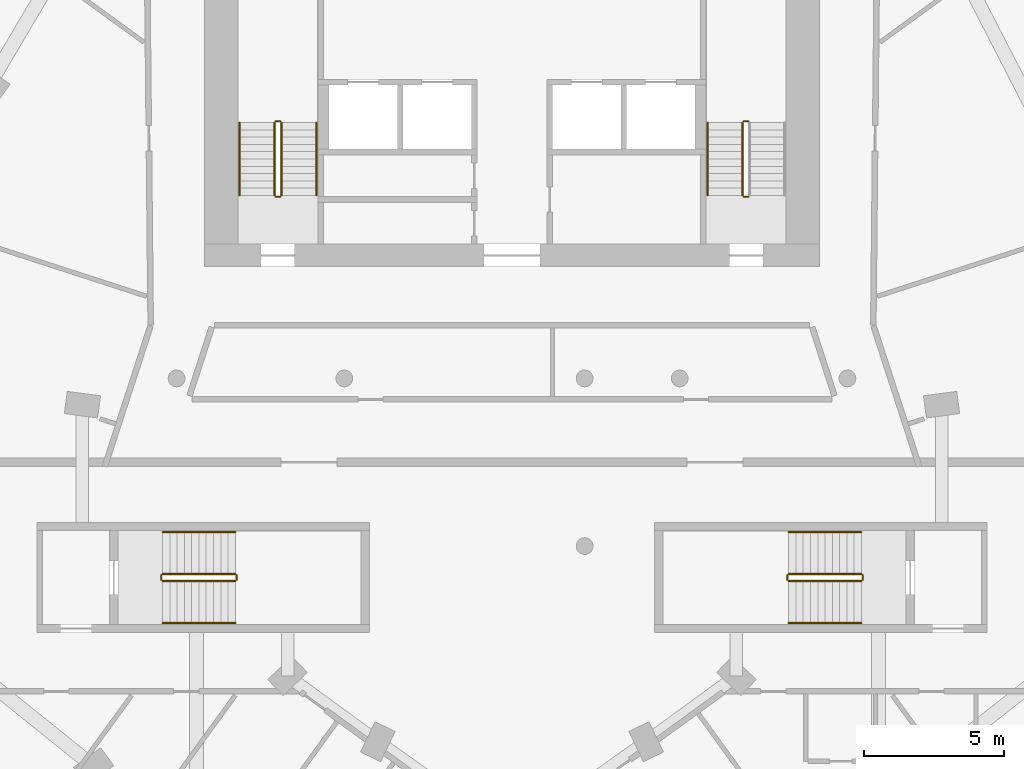
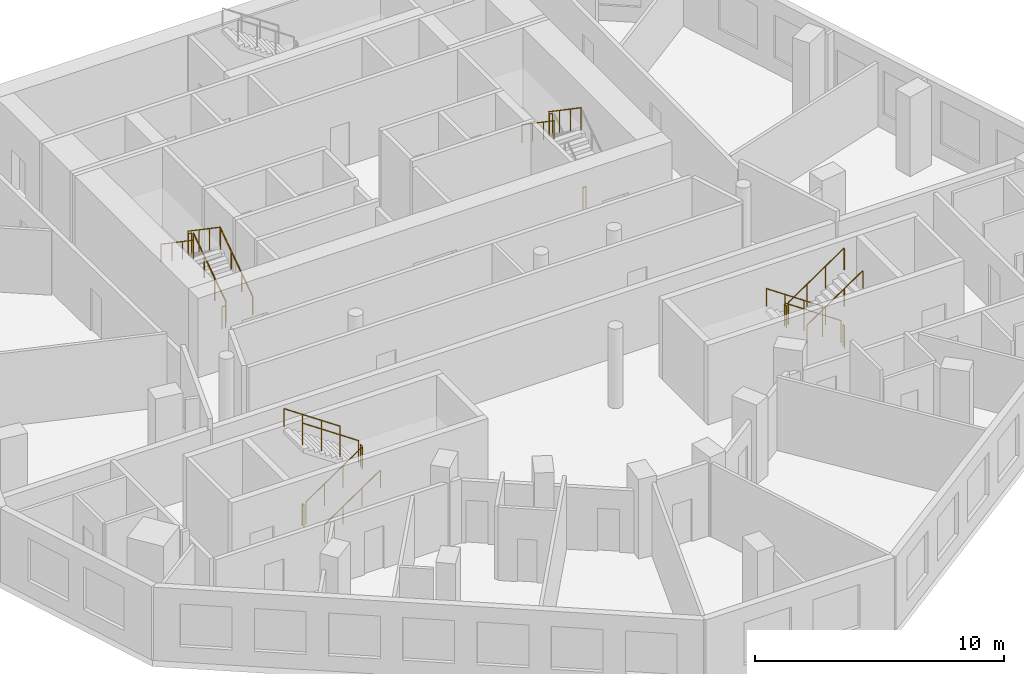
# One storey, part 8 of 9: 22 railings.
"""IFC4 building model written with IfcOpenShell, lengths in metres."""

from ifc_helpers import new_model, si_unit, direction, frame, origin, origin_2d, place, context, subcontext, project, spatial, circle, extrude, material, type_object, element, save


model = new_model("IFC4")

# Units and contexts
model_context = context("Model", 3, precision=1e-05, world=origin(), true_north=direction((0.0, 1.0)))
body_context = subcontext(model_context, "Body", "Model", "MODEL_VIEW")
ifc_project = project(units=[si_unit("LENGTHUNIT", "METRE"), si_unit("AREAUNIT", "SQUARE_METRE"), si_unit("VOLUMEUNIT", "CUBIC_METRE"), si_unit("PLANEANGLEUNIT", "RADIAN"), si_unit("MASSUNIT", "GRAM", prefix="KILO")], contexts=[model_context])

# Site, building, storey
site_placement = place(None, origin())
site = spatial("IfcSite", under=ifc_project, at=site_placement, CompositionType="ELEMENT")
building_placement = place(site_placement, origin())
building = spatial("IfcBuilding", under=site, at=building_placement, Name="White Candle Pilgrim Tower", CompositionType="ELEMENT")
storey_placement = place(building_placement, frame((0.0, 0.0, 204.300048828125)))
storey = spatial("IfcBuildingStorey", under=building, at=storey_placement, Name="L47", CompositionType="ELEMENT", Elevation=204.300048828125)

# Railings
ifc_material = material(Name="Stainless steel", Category="steel")
railing_type_1 = type_object("IfcRailingType", Name="Stair guard stainless steel 1100 mm", PredefinedType="GUARDRAIL", material=ifc_material)
railing_1_placement = place(storey_placement, frame((61.75, 73.550048828125, 0.17724609375)))
element("IfcRailing", 1, at=railing_1_placement, inside=storey, type_object=railing_type_1, Name="L47 ST1 stair guard 1", PredefinedType="GUARDRAIL", context=body_context, shape_type="SweptSolid", body=[
    extrude(circle(Radius=0.02392578125, at=origin_2d()), frame((0.0, 0.0, 1.076171875), z_axis=(0.0, 0.826215852431, 0.563353676824), x_axis=(-1.0, 0.0, 0.0)), (0.0, 0.0, 1.0), 3.146728515625),
    extrude(circle(Radius=0.02099609375, at=origin_2d()), origin(), (0.0, 0.0, 1.0), 1.052001953125),
    extrude(circle(Radius=0.02099609375, at=origin_2d()), frame((0.0, 0.86669921875, 0.5908203125)), (0.0, 0.0, 1.0), 1.052001953125),
    extrude(circle(Radius=0.02099609375, at=origin_2d()), frame((0.0, 1.733154296875, 1.181884765625)), (0.0, 0.0, 1.0), 1.052001953125),
    extrude(circle(Radius=0.02099609375, at=origin_2d()), frame((0.0, 2.599853515625, 1.772705078125)), (0.0, 0.0, 1.0), 1.052001953125),
])
railing_2_placement = place(storey_placement, frame((61.699951171875, 76.199951171875, 1.949951171875)))
element("IfcRailing", 2, at=railing_2_placement, inside=storey, type_object=railing_type_1, Name="L47 ST1 stair guard 2", PredefinedType="GUARDRAIL", context=body_context, shape_type="SweptSolid", body=[
    extrude(circle(Radius=0.02392578125, at=origin_2d()), frame((0.0, 0.0, 1.076171875), z_axis=(-1.0, 0.0, 0.0), x_axis=(0.0, -1.0, 0.0)), (0.0, 0.0, 1.0), 0.14990234375),
    extrude(circle(Radius=0.02099609375, at=origin_2d()), origin(), (0.0, 0.0, 1.0), 1.052001953125),
    extrude(circle(Radius=0.02099609375, at=origin_2d()), frame((-0.14990234375, 0.0, 0.0)), (0.0, 0.0, 1.0), 1.052001953125),
])
railing_3_placement = place(storey_placement, frame((61.5, 76.14990234375, 2.127197265625)))
element("IfcRailing", 3, at=railing_3_placement, inside=storey, type_object=railing_type_1, Name="L47 ST1 stair guard 3", PredefinedType="GUARDRAIL", context=body_context, shape_type="SweptSolid", body=[
    extrude(circle(Radius=0.02392578125, at=origin_2d()), frame((0.0, 0.0, 1.076171875), z_axis=(0.0, -0.826215852431, 0.563353676824), x_axis=(1.0, 0.0, 0.0)), (0.0, 0.0, 1.0), 3.146728515625),
    extrude(circle(Radius=0.02099609375, at=origin_2d()), origin(), (0.0, 0.0, 1.0), 1.052001953125),
    extrude(circle(Radius=0.02099609375, at=origin_2d()), frame((0.0, -0.86669921875, 0.5908203125)), (0.0, 0.0, 1.0), 1.052001953125),
    extrude(circle(Radius=0.02099609375, at=origin_2d()), frame((0.0, -1.733154296875, 1.181884765625)), (0.0, 0.0, 1.0), 1.052001953125),
    extrude(circle(Radius=0.02099609375, at=origin_2d()), frame((0.0, -2.599853515625, 1.772705078125)), (0.0, 0.0, 1.0), 1.052001953125),
])
for number, where, name in (
    (4, (61.699951171875, 73.5, 0.0), "L47 ST1 stair guard 4"),
    (5, (78.449951171875, 76.199951171875, 1.949951171875), "L47 ST2 stair guard 2"),
):
    element("IfcRailing", number, at=place(storey_placement, frame(where)), inside=storey, type_object=railing_type_1, Name=name, PredefinedType="GUARDRAIL", context=body_context, shape_type="SweptSolid", body=[
        extrude(circle(Radius=0.02392578125, at=origin_2d()), frame((0.0, 0.0, 1.076171875), z_axis=(-1.0, 0.0, 0.0), x_axis=(0.0, -1.0, 0.0)), (0.0, 0.0, 1.0), 0.14990234375),
        extrude(circle(Radius=0.02099609375, at=origin_2d()), origin(), (0.0, 0.0, 1.0), 1.052001953125),
        extrude(circle(Radius=0.02099609375, at=origin_2d()), frame((-0.14990234375, 0.0, 0.0)), (0.0, 0.0, 1.0), 1.052001953125),
    ])
railing_4_placement = place(storey_placement, frame((78.25, 76.14990234375, 2.127197265625)))
element("IfcRailing", 6, at=railing_4_placement, inside=storey, type_object=railing_type_1, Name="L47 ST2 stair guard 3", PredefinedType="GUARDRAIL", context=body_context, shape_type="SweptSolid", body=[
    extrude(circle(Radius=0.02392578125, at=origin_2d()), frame((0.0, 0.0, 1.076171875), z_axis=(0.0, -0.826215852431, 0.563353676824), x_axis=(1.0, 0.0, 0.0)), (0.0, 0.0, 1.0), 3.146728515625),
    extrude(circle(Radius=0.02099609375, at=origin_2d()), origin(), (0.0, 0.0, 1.0), 1.052001953125),
    extrude(circle(Radius=0.02099609375, at=origin_2d()), frame((0.0, -0.86669921875, 0.5908203125)), (0.0, 0.0, 1.0), 1.052001953125),
    extrude(circle(Radius=0.02099609375, at=origin_2d()), frame((0.0, -1.733154296875, 1.181884765625)), (0.0, 0.0, 1.0), 1.052001953125),
    extrude(circle(Radius=0.02099609375, at=origin_2d()), frame((0.0, -2.599853515625, 1.772705078125)), (0.0, 0.0, 1.0), 1.052001953125),
])
railing_5_placement = place(storey_placement, frame((78.449951171875, 73.5, 0.0)))
element("IfcRailing", 7, at=railing_5_placement, inside=storey, type_object=railing_type_1, Name="L47 ST2 stair guard 4", PredefinedType="GUARDRAIL", context=body_context, shape_type="SweptSolid", body=[
    extrude(circle(Radius=0.02392578125, at=origin_2d()), frame((0.0, 0.0, 1.076171875), z_axis=(-1.0, 0.0, 0.0), x_axis=(0.0, -1.0, 0.0)), (0.0, 0.0, 1.0), 0.14990234375),
    extrude(circle(Radius=0.02099609375, at=origin_2d()), origin(), (0.0, 0.0, 1.0), 1.052001953125),
    extrude(circle(Radius=0.02099609375, at=origin_2d()), frame((-0.14990234375, 0.0, 0.0)), (0.0, 0.0, 1.0), 1.052001953125),
])
railing_6_placement = place(storey_placement, frame((82.5, 60.0, 0.17724609375)))
element("IfcRailing", 8, at=railing_6_placement, inside=storey, type_object=railing_type_1, Name="L47 ST4 stair guard 1", PredefinedType="GUARDRAIL", context=body_context, shape_type="SweptSolid", body=[
    extrude(circle(Radius=0.02392578125, at=origin_2d()), frame((0.0, 0.0, 1.076171875), z_axis=(-0.826240473404, 0.0, 0.563317565952), x_axis=(0.0, -1.0, 0.0)), (0.0, 0.0, 1.0), 3.14697265625),
    extrude(circle(Radius=0.02099609375, at=origin_2d()), origin(), (0.0, 0.0, 1.0), 1.052001953125),
    extrude(circle(Radius=0.02099609375, at=origin_2d()), frame((-0.86669921875, 0.0, 0.5908203125)), (0.0, 0.0, 1.0), 1.052001953125),
    extrude(circle(Radius=0.02099609375, at=origin_2d()), frame((-1.7333984375, 0.0, 1.181884765625)), (0.0, 0.0, 1.0), 1.052001953125),
    extrude(circle(Radius=0.02099609375, at=origin_2d()), frame((-2.60009765625, 0.0, 1.772705078125)), (0.0, 0.0, 1.0), 1.052001953125),
])
railing_7_placement = place(storey_placement, frame((79.85009765625, 59.949951171875, 1.949951171875)))
element("IfcRailing", 9, at=railing_7_placement, inside=storey, type_object=railing_type_1, Name="L47 ST4 stair guard 2", PredefinedType="GUARDRAIL", context=body_context, shape_type="SweptSolid", body=[
    extrude(circle(Radius=0.02392578125, at=origin_2d()), frame((0.0, 0.0, 1.076171875), z_axis=(0.0, -1.0, 0.0), x_axis=(1.0, 0.0, 0.0)), (0.0, 0.0, 1.0), 0.14990234375),
    extrude(circle(Radius=0.02099609375, at=origin_2d()), origin(), (0.0, 0.0, 1.0), 1.052001953125),
    extrude(circle(Radius=0.02099609375, at=origin_2d()), frame((0.0, -0.14990234375, 0.0)), (0.0, 0.0, 1.0), 1.052001953125),
])
railing_8_placement = place(storey_placement, frame((79.89990234375, 59.75, 2.127197265625)))
element("IfcRailing", 10, at=railing_8_placement, inside=storey, type_object=railing_type_1, Name="L47 ST4 stair guard 3", PredefinedType="GUARDRAIL", context=body_context, shape_type="SweptSolid", body=[
    extrude(circle(Radius=0.02392578125, at=origin_2d()), frame((0.0, 0.0, 1.076171875), z_axis=(0.826240473404, 0.0, 0.563317565952), x_axis=(0.0, 1.0, 0.0)), (0.0, 0.0, 1.0), 3.14697265625),
    extrude(circle(Radius=0.02099609375, at=origin_2d()), origin(), (0.0, 0.0, 1.0), 1.052001953125),
    extrude(circle(Radius=0.02099609375, at=origin_2d()), frame((0.86669921875, 0.0, 0.5908203125)), (0.0, 0.0, 1.0), 1.052001953125),
    extrude(circle(Radius=0.02099609375, at=origin_2d()), frame((1.7333984375, 0.0, 1.181884765625)), (0.0, 0.0, 1.0), 1.052001953125),
    extrude(circle(Radius=0.02099609375, at=origin_2d()), frame((2.60009765625, 0.0, 1.772705078125)), (0.0, 0.0, 1.0), 1.052001953125),
])
railing_9_placement = place(storey_placement, frame((82.550048828125, 59.949951171875, 0.0)))
element("IfcRailing", 11, at=railing_9_placement, inside=storey, type_object=railing_type_1, Name="L47 ST4 stair guard 4", PredefinedType="GUARDRAIL", context=body_context, shape_type="SweptSolid", body=[
    extrude(circle(Radius=0.02392578125, at=origin_2d()), frame((0.0, 0.0, 1.076171875), z_axis=(0.0, -1.0, 0.0), x_axis=(1.0, 0.0, 0.0)), (0.0, 0.0, 1.0), 0.14990234375),
    extrude(circle(Radius=0.02099609375, at=origin_2d()), origin(), (0.0, 0.0, 1.0), 1.052001953125),
    extrude(circle(Radius=0.02099609375, at=origin_2d()), frame((0.0, -0.14990234375, 0.0)), (0.0, 0.0, 1.0), 1.052001953125),
])
railing_10_placement = place(storey_placement, frame((57.5, 59.75, 0.17724609375)))
element("IfcRailing", 12, at=railing_10_placement, inside=storey, type_object=railing_type_1, Name="L47 ST5 stair guard 1", PredefinedType="GUARDRAIL", context=body_context, shape_type="SweptSolid", body=[
    extrude(circle(Radius=0.02392578125, at=origin_2d()), frame((0.0, 0.0, 1.076171875), z_axis=(0.826240473404, 0.0, 0.563317565952), x_axis=(0.0, 1.0, 0.0)), (0.0, 0.0, 1.0), 3.14697265625),
    extrude(circle(Radius=0.02099609375, at=origin_2d()), origin(), (0.0, 0.0, 1.0), 1.052001953125),
    extrude(circle(Radius=0.02099609375, at=origin_2d()), frame((0.86669921875, 0.0, 0.5908203125)), (0.0, 0.0, 1.0), 1.052001953125),
    extrude(circle(Radius=0.02099609375, at=origin_2d()), frame((1.7333984375, 0.0, 1.181884765625)), (0.0, 0.0, 1.0), 1.052001953125),
    extrude(circle(Radius=0.02099609375, at=origin_2d()), frame((2.60009765625, 0.0, 1.772705078125)), (0.0, 0.0, 1.0), 1.052001953125),
])
railing_11_placement = place(storey_placement, frame((60.14990234375, 59.800048828125, 1.949951171875)))
element("IfcRailing", 13, at=railing_11_placement, inside=storey, type_object=railing_type_1, Name="L47 ST5 stair guard 2", PredefinedType="GUARDRAIL", context=body_context, shape_type="SweptSolid", body=[
    extrude(circle(Radius=0.02392578125, at=origin_2d()), frame((0.0, 0.0, 1.076171875), z_axis=(0.0, 1.0, 0.0), x_axis=(-1.0, 0.0, 0.0)), (0.0, 0.0, 1.0), 0.14990234375),
    extrude(circle(Radius=0.02099609375, at=origin_2d()), origin(), (0.0, 0.0, 1.0), 1.052001953125),
    extrude(circle(Radius=0.02099609375, at=origin_2d()), frame((0.0, 0.14990234375, 0.0)), (0.0, 0.0, 1.0), 1.052001953125),
])
railing_12_placement = place(storey_placement, frame((60.10009765625, 60.0, 2.127197265625)))
element("IfcRailing", 14, at=railing_12_placement, inside=storey, type_object=railing_type_1, Name="L47 ST5 stair guard 3", PredefinedType="GUARDRAIL", context=body_context, shape_type="SweptSolid", body=[
    extrude(circle(Radius=0.02392578125, at=origin_2d()), frame((0.0, 0.0, 1.076171875), z_axis=(-0.826240473404, 0.0, 0.563317565952), x_axis=(0.0, -1.0, 0.0)), (0.0, 0.0, 1.0), 3.14697265625),
    extrude(circle(Radius=0.02099609375, at=origin_2d()), origin(), (0.0, 0.0, 1.0), 1.052001953125),
    extrude(circle(Radius=0.02099609375, at=origin_2d()), frame((-0.86669921875, 0.0, 0.5908203125)), (0.0, 0.0, 1.0), 1.052001953125),
    extrude(circle(Radius=0.02099609375, at=origin_2d()), frame((-1.7333984375, 0.0, 1.181884765625)), (0.0, 0.0, 1.0), 1.052001953125),
    extrude(circle(Radius=0.02099609375, at=origin_2d()), frame((-2.60009765625, 0.0, 1.772705078125)), (0.0, 0.0, 1.0), 1.052001953125),
])
railing_13_placement = place(storey_placement, frame((57.449951171875, 59.800048828125, 0.0)))
element("IfcRailing", 15, at=railing_13_placement, inside=storey, type_object=railing_type_1, Name="L47 ST5 stair guard 4", PredefinedType="GUARDRAIL", context=body_context, shape_type="SweptSolid", body=[
    extrude(circle(Radius=0.02392578125, at=origin_2d()), frame((0.0, 0.0, 1.076171875), z_axis=(0.0, 1.0, 0.0), x_axis=(-1.0, 0.0, 0.0)), (0.0, 0.0, 1.0), 0.14990234375),
    extrude(circle(Radius=0.02099609375, at=origin_2d()), origin(), (0.0, 0.0, 1.0), 1.052001953125),
    extrude(circle(Radius=0.02099609375, at=origin_2d()), frame((0.0, 0.14990234375, 0.0)), (0.0, 0.0, 1.0), 1.052001953125),
])
railing_type_2 = type_object("IfcRailingType", Name="Stair handrail stainless steel", PredefinedType="HANDRAIL", material=ifc_material)
railing_14_placement = place(storey_placement, frame((63.0, 73.550048828125, 0.17724609375)))
element("IfcRailing", 16, at=railing_14_placement, inside=storey, type_object=railing_type_2, Name="L47 ST1 stair handrail 1", PredefinedType="HANDRAIL", context=body_context, shape_type="SweptSolid", body=[
    extrude(circle(Radius=0.02392578125, at=origin_2d()), frame((0.0, 0.0, 0.8759765625), z_axis=(0.0, 0.826215852431, 0.563353676824), x_axis=(-1.0, 0.0, 0.0)), (0.0, 0.0, 1.0), 3.146728515625),
    extrude(circle(Radius=0.02099609375, at=origin_2d()), origin(), (0.0, 0.0, 1.0), 0.851806640625),
    extrude(circle(Radius=0.02099609375, at=origin_2d()), frame((0.0, 0.86669921875, 0.5908203125)), (0.0, 0.0, 1.0), 0.851806640625),
    extrude(circle(Radius=0.02099609375, at=origin_2d()), frame((0.0, 1.733154296875, 1.181884765625)), (0.0, 0.0, 1.0), 0.851806640625),
    extrude(circle(Radius=0.02099609375, at=origin_2d()), frame((0.0, 2.599853515625, 1.772705078125)), (0.0, 0.0, 1.0), 0.851806640625),
])
for number, where, name in (
    (17, (60.25, 76.14990234375, 2.127197265625), "L47 ST1 stair handrail 2"),
    (18, (77.0, 76.14990234375, 2.127197265625), "L47 ST2 stair handrail 2"),
):
    element("IfcRailing", number, at=place(storey_placement, frame(where)), inside=storey, type_object=railing_type_2, Name=name, PredefinedType="HANDRAIL", context=body_context, shape_type="SweptSolid", body=[
        extrude(circle(Radius=0.02392578125, at=origin_2d()), frame((0.0, 0.0, 0.8759765625), z_axis=(0.0, -0.826215852431, 0.563353676824), x_axis=(1.0, 0.0, 0.0)), (0.0, 0.0, 1.0), 3.146728515625),
        extrude(circle(Radius=0.02099609375, at=origin_2d()), origin(), (0.0, 0.0, 1.0), 0.851806640625),
        extrude(circle(Radius=0.02099609375, at=origin_2d()), frame((0.0, -0.86669921875, 0.5908203125)), (0.0, 0.0, 1.0), 0.851806640625),
        extrude(circle(Radius=0.02099609375, at=origin_2d()), frame((0.0, -1.733154296875, 1.181884765625)), (0.0, 0.0, 1.0), 0.851806640625),
        extrude(circle(Radius=0.02099609375, at=origin_2d()), frame((0.0, -2.599853515625, 1.772705078125)), (0.0, 0.0, 1.0), 0.851806640625),
    ])
railing_15_placement = place(storey_placement, frame((82.5, 61.5, 0.17724609375)))
element("IfcRailing", 19, at=railing_15_placement, inside=storey, type_object=railing_type_2, Name="L47 ST4 stair handrail 1", PredefinedType="HANDRAIL", context=body_context, shape_type="SweptSolid", body=[
    extrude(circle(Radius=0.02392578125, at=origin_2d()), frame((0.0, 0.0, 0.8759765625), z_axis=(-0.826240473404, 0.0, 0.563317565952), x_axis=(0.0, -1.0, 0.0)), (0.0, 0.0, 1.0), 3.14697265625),
    extrude(circle(Radius=0.02099609375, at=origin_2d()), origin(), (0.0, 0.0, 1.0), 0.851806640625),
    extrude(circle(Radius=0.02099609375, at=origin_2d()), frame((-0.86669921875, 0.0, 0.5908203125)), (0.0, 0.0, 1.0), 0.851806640625),
    extrude(circle(Radius=0.02099609375, at=origin_2d()), frame((-1.7333984375, 0.0, 1.181884765625)), (0.0, 0.0, 1.0), 0.851806640625),
    extrude(circle(Radius=0.02099609375, at=origin_2d()), frame((-2.60009765625, 0.0, 1.772705078125)), (0.0, 0.0, 1.0), 0.851806640625),
])
for number, where, name in (
    (20, (79.89990234375, 58.25, 2.127197265625), "L47 ST4 stair handrail 2"),
    (21, (57.5, 58.25, 0.17724609375), "L47 ST5 stair handrail 1"),
):
    element("IfcRailing", number, at=place(storey_placement, frame(where)), inside=storey, type_object=railing_type_2, Name=name, PredefinedType="HANDRAIL", context=body_context, shape_type="SweptSolid", body=[
        extrude(circle(Radius=0.02392578125, at=origin_2d()), frame((0.0, 0.0, 0.8759765625), z_axis=(0.826240473404, 0.0, 0.563317565952), x_axis=(0.0, 1.0, 0.0)), (0.0, 0.0, 1.0), 3.14697265625),
        extrude(circle(Radius=0.02099609375, at=origin_2d()), origin(), (0.0, 0.0, 1.0), 0.851806640625),
        extrude(circle(Radius=0.02099609375, at=origin_2d()), frame((0.86669921875, 0.0, 0.5908203125)), (0.0, 0.0, 1.0), 0.851806640625),
        extrude(circle(Radius=0.02099609375, at=origin_2d()), frame((1.7333984375, 0.0, 1.181884765625)), (0.0, 0.0, 1.0), 0.851806640625),
        extrude(circle(Radius=0.02099609375, at=origin_2d()), frame((2.60009765625, 0.0, 1.772705078125)), (0.0, 0.0, 1.0), 0.851806640625),
    ])
railing_16_placement = place(storey_placement, frame((60.10009765625, 61.5, 2.127197265625)))
element("IfcRailing", 22, at=railing_16_placement, inside=storey, type_object=railing_type_2, Name="L47 ST5 stair handrail 2", PredefinedType="HANDRAIL", context=body_context, shape_type="SweptSolid", body=[
    extrude(circle(Radius=0.02392578125, at=origin_2d()), frame((0.0, 0.0, 0.8759765625), z_axis=(-0.826240473404, 0.0, 0.563317565952), x_axis=(0.0, -1.0, 0.0)), (0.0, 0.0, 1.0), 3.14697265625),
    extrude(circle(Radius=0.02099609375, at=origin_2d()), origin(), (0.0, 0.0, 1.0), 0.851806640625),
    extrude(circle(Radius=0.02099609375, at=origin_2d()), frame((-0.86669921875, 0.0, 0.5908203125)), (0.0, 0.0, 1.0), 0.851806640625),
    extrude(circle(Radius=0.02099609375, at=origin_2d()), frame((-1.7333984375, 0.0, 1.181884765625)), (0.0, 0.0, 1.0), 0.851806640625),
    extrude(circle(Radius=0.02099609375, at=origin_2d()), frame((-2.60009765625, 0.0, 1.772705078125)), (0.0, 0.0, 1.0), 0.851806640625),
])

save(model, "model.ifc")
